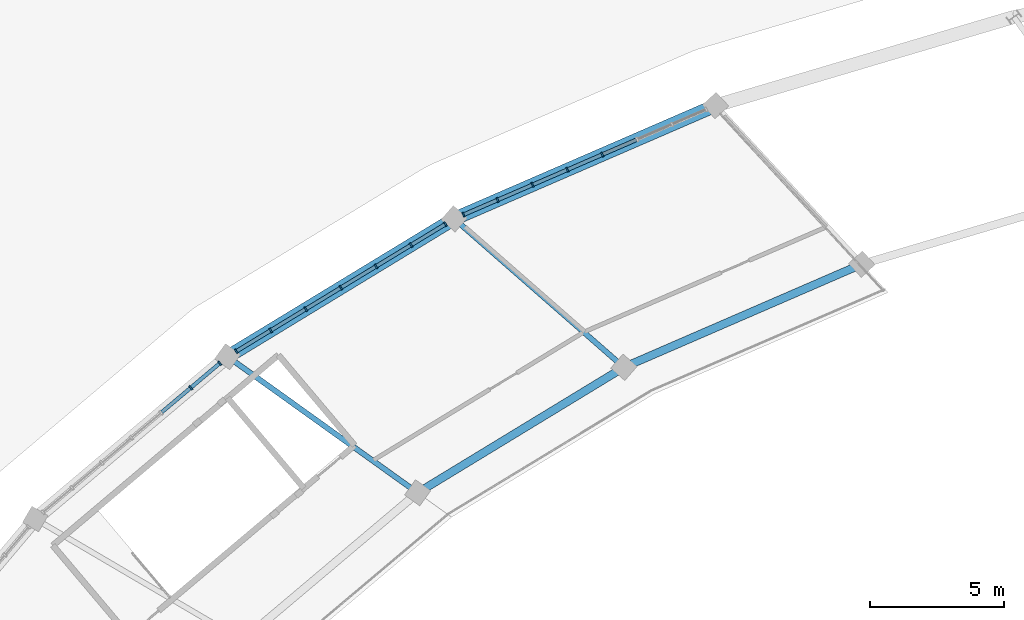
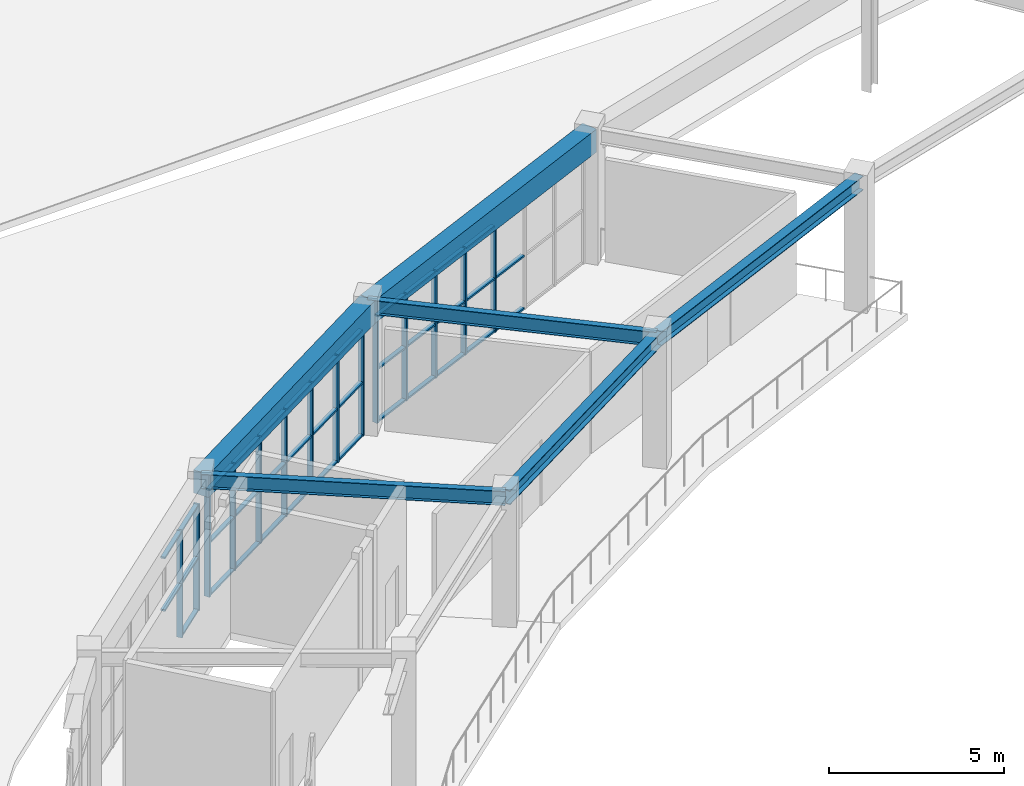
# One storey, part 25 of 45: 51 members, 6 beams, 3 elements without a shape of their own.
"""IFC4 building model written with IfcOpenShell, lengths in metres."""

from ifc_helpers import new_model, si_unit, direction, frame, origin, origin_2d, place, context, subcontext, project, spatial, rectangle, i_section, extrude, material, layer, layer_set, material_profile, profile_set, type_object, element, aggregate, save


model = new_model("IFC4")

# Units and contexts
model_context = context("Model", 3, precision=1e-05, world=origin(), true_north=direction((0.0, 1.0)))
body_context = subcontext(model_context, "Body", "Model", "MODEL_VIEW")
ifc_project = project(units=[si_unit("LENGTHUNIT", "METRE"), si_unit("AREAUNIT", "SQUARE_METRE"), si_unit("VOLUMEUNIT", "CUBIC_METRE"), si_unit("PLANEANGLEUNIT", "RADIAN"), si_unit("MASSUNIT", "GRAM", prefix="KILO")], contexts=[model_context])

# Site, building, storey
site_placement = place(None, origin())
site = spatial("IfcSite", under=ifc_project, at=site_placement, CompositionType="ELEMENT")
building_placement = place(site_placement, origin())
building = spatial("IfcBuilding", under=site, at=building_placement, Name="Mphavela Belvedere Stadium", CompositionType="ELEMENT")
storey_placement = place(building_placement, frame((0.0, 0.0, 24.0)))
storey = spatial("IfcBuildingStorey", under=building, at=storey_placement, Name="L05", CompositionType="ELEMENT", Elevation=24.0)

# Beams
ifc_material_1 = material(Name="Concrete C40/50", Category="concrete")
ifc_material_profile_1 = material_profile(ifc_material_1, rectangle(XDim=0.5, YDim=0.800048828125, at=origin_2d()), Name="RC 500x800")
ifc_profile_set_1 = profile_set([ifc_material_profile_1], Name="Concrete C40/50")
beam_type_1 = type_object("IfcBeamType", Name="BM-SPANDREL-800", PredefinedType="SPANDREL", material=ifc_profile_set_1)
beam_1_placement = place(storey_placement, frame((54.0625, 153.09130859375, 4.14990234375), z_axis=(-0.91749867224, -0.397738842004, 0.0), x_axis=(0.397738842004, -0.91749867224, 0.0)))
element("IfcBeam", 1, at=beam_1_placement, inside=storey, type_object=beam_type_1, Name="Circumferential girder L05 R4-17", PredefinedType="SPANDREL", context=body_context, shape_type="SweptSolid", body=[
    extrude(rectangle(XDim=0.5, YDim=0.800048828125, at=origin_2d()), origin(), (0.0, 0.0, 1.0), 10.63623046875),
])
beam_2_placement = place(storey_placement, frame((44.3037109375, 148.86083984375, 4.14990234375), z_axis=(-0.854326607994, -0.51973651678, 0.0), x_axis=(0.51973651678, -0.854326607994, 0.0)))
element("IfcBeam", 2, at=beam_2_placement, inside=storey, type_object=beam_type_1, Name="Circumferential girder L05 R4-18", PredefinedType="SPANDREL", context=body_context, shape_type="SweptSolid", body=[
    extrude(rectangle(XDim=0.5, YDim=0.800048828125, at=origin_2d()), origin(), (0.0, 0.0, 1.0), 9.901611328125),
])
ifc_material_2 = material(Name="Steel S355", Category="steel")
ifc_material_profile_2 = material_profile(ifc_material_2, i_section(OverallWidth=0.300048828125, OverallDepth=0.489990234375, WebThickness=0.011962890625, FlangeThickness=0.02294921875, at=origin_2d()), Name="HEA 500")
ifc_profile_set_2 = profile_set([ifc_material_profile_2], Name="Steel S355")
beam_type_2 = type_object("IfcBeamType", Name="BM-STEEL-HEA500", PredefinedType="BEAM", material=ifc_profile_set_2)
beam_3_placement = place(storey_placement, frame((59.523681640625, 147.16796875, 4.304931640625), z_axis=(-0.917501650019, -0.397731972832, 0.0), x_axis=(0.397731972832, -0.917501650019, 0.0)))
element("IfcBeam", 3, at=beam_3_placement, inside=storey, type_object=beam_type_2, Name="Circumferential girder L05 R3-17", PredefinedType="BEAM", context=body_context, shape_type="SweptSolid", body=[
    extrude(i_section(OverallWidth=0.300048828125, OverallDepth=0.489990234375, WebThickness=0.011962890625, FlangeThickness=0.02294921875, at=origin_2d()), origin(), (0.0, 0.0, 1.0), 9.6826171875),
])
beam_4_placement = place(storey_placement, frame((50.639892578125, 143.31689453125, 4.304931640625), z_axis=(-0.854315160357, -0.519755333579, 0.0), x_axis=(0.519755333579, -0.854315160357, 0.0)))
element("IfcBeam", 4, at=beam_4_placement, inside=storey, type_object=beam_type_2, Name="Circumferential girder L05 R3-18", PredefinedType="BEAM", context=body_context, shape_type="SweptSolid", body=[
    extrude(i_section(OverallWidth=0.300048828125, OverallDepth=0.489990234375, WebThickness=0.011962890625, FlangeThickness=0.02294921875, at=origin_2d()), origin(), (0.0, 0.0, 1.0), 9.014404296875),
])
ifc_material_3 = material(Name="Steel S355", Category="steel")
ifc_material_profile_3 = material_profile(ifc_material_3, i_section(OverallWidth=0.199951171875, OverallDepth=0.5, WebThickness=0.01025390625, FlangeThickness=0.01611328125, at=origin_2d()), Name="IPE 500")
ifc_profile_set_3 = profile_set([ifc_material_profile_3], Name="Steel S355")
beam_type_3 = type_object("IfcBeamType", Name="BM-STEEL-IPE500", PredefinedType="BEAM", material=ifc_profile_set_3)
beam_5_placement = place(storey_placement, frame((50.639892578125, 143.31689453125, 4.300048828125), z_axis=(-0.752589268993, 0.658490236978, 0.0), x_axis=(-0.658490236978, -0.752589268993, 0.0)))
element("IfcBeam", 5, at=beam_5_placement, inside=storey, type_object=beam_type_3, Name="Radial concourse girder L05 R3R4-18", PredefinedType="BEAM", context=body_context, shape_type="SweptSolid", body=[
    extrude(i_section(OverallWidth=0.199951171875, OverallDepth=0.5, WebThickness=0.01025390625, FlangeThickness=0.01611328125, at=origin_2d()), origin(), (0.0, 0.0, 1.0), 8.419189453125),
])
beam_6_placement = place(storey_placement, frame((42.938720703125, 138.631591796875, 4.300048828125), z_axis=(-0.812882024932, 0.582428376319, 0.0), x_axis=(-0.582428376319, -0.812882024932, 0.0)))
element("IfcBeam", 6, at=beam_6_placement, inside=storey, type_object=beam_type_3, Name="Radial concourse girder L05 R3R4-19", PredefinedType="BEAM", context=body_context, shape_type="SweptSolid", body=[
    extrude(i_section(OverallWidth=0.199951171875, OverallDepth=0.5, WebThickness=0.01025390625, FlangeThickness=0.01611328125, at=origin_2d()), origin(), (0.0, 0.0, 1.0), 8.727294921875),
])

# Curtain wall, members
ifc_material_4 = material(Name="Anodised bronze unitised curtain wall framing")
ifc_layer_1 = layer(ifc_material_4, 0.199951171875)
ifc_layer_set_1 = layer_set([ifc_layer_1], Name="Anodised bronze unitised curtain wall framing")
curtain_wall_type_1 = type_object("IfcCurtainWallType", Name="CW-UNIT-05", PredefinedType="USERDEFINED", material=ifc_layer_set_1)
curtain_wall_1_placement = place(storey_placement, origin())
curtain_wall_1 = element("IfcCurtainWall", 7, at=curtain_wall_1_placement, inside=storey, type_object=curtain_wall_type_1, Name="Belvedere colonnade curtain wall L05-17", ObjectType="UNITISED CURTAIN WALL", PredefinedType="USERDEFINED")
ifc_material_5 = material(Name="Anodised bronze extruded aluminium", Category="aluminium")
ifc_material_profile_4 = material_profile(ifc_material_5, rectangle(XDim=0.179931640625, YDim=0.06494140625, at=origin_2d()), Name="CW-MUL 180x65")
ifc_profile_set_4 = profile_set([ifc_material_profile_4], Name="Anodised bronze extruded aluminium")
member_type_1 = type_object("IfcMemberType", Name="CWM-180x65", PredefinedType="MULLION", material=ifc_profile_set_4)
member_1_placement = place(storey_placement, frame((49.83447265625, 151.258544921875, 0.0), z_axis=(0.0, 0.0, 1.0), x_axis=(0.39774295054, -0.917496891164, 0.0)))
member_1 = element("IfcMember", 8, at=member_1_placement, type_object=member_type_1, Name="CW-05 mullion 4", PredefinedType="MULLION", context=body_context, shape_type="SweptSolid", body=[
    extrude(rectangle(XDim=0.179931640625, YDim=0.06494140625, at=origin_2d()), origin(), (0.0, 0.0, 1.0), 3.719970703125),
])
member_2_placement = place(storey_placement, frame((48.53173828125, 150.693603515625, 0.0), z_axis=(0.0, 0.0, 1.0), x_axis=(0.39774295054, -0.917496891164, 0.0)))
member_2 = element("IfcMember", 9, at=member_2_placement, type_object=member_type_1, Name="CW-05 mullion 5", PredefinedType="MULLION", context=body_context, shape_type="SweptSolid", body=[
    extrude(rectangle(XDim=0.179931640625, YDim=0.06494140625, at=origin_2d()), origin(), (0.0, 0.0, 1.0), 3.719970703125),
])
member_3_placement = place(storey_placement, frame((47.228759765625, 150.12890625, 0.0), z_axis=(0.0, 0.0, 1.0), x_axis=(0.39774295054, -0.917496891164, 0.0)))
member_3 = element("IfcMember", 10, at=member_3_placement, type_object=member_type_1, Name="CW-05 mullion 6", PredefinedType="MULLION", context=body_context, shape_type="SweptSolid", body=[
    extrude(rectangle(XDim=0.179931640625, YDim=0.06494140625, at=origin_2d()), origin(), (0.0, 0.0, 1.0), 3.719970703125),
])
member_4_placement = place(storey_placement, frame((45.926025390625, 149.564208984375, 0.0), z_axis=(0.0, 0.0, 1.0), x_axis=(0.39774295054, -0.917496891164, 0.0)))
member_4 = element("IfcMember", 11, at=member_4_placement, type_object=member_type_1, Name="CW-05 mullion 7", PredefinedType="MULLION", context=body_context, shape_type="SweptSolid", body=[
    extrude(rectangle(XDim=0.179931640625, YDim=0.06494140625, at=origin_2d()), origin(), (0.0, 0.0, 1.0), 3.719970703125),
])
member_5_placement = place(storey_placement, frame((44.65283203125, 149.01220703125, 0.0), z_axis=(0.0, 0.0, 1.0), x_axis=(0.39774295054, -0.917496891164, 0.0)))
member_5 = element("IfcMember", 12, at=member_5_placement, type_object=member_type_1, Name="CW-05 mullion 8", PredefinedType="MULLION", context=body_context, shape_type="SweptSolid", body=[
    extrude(rectangle(XDim=0.179931640625, YDim=0.06494140625, at=origin_2d()), origin(), (0.0, 0.0, 1.0), 3.719970703125),
])

ifc_material_6 = material(Name="Anodised bronze unitised curtain wall framing")
ifc_layer_2 = layer(ifc_material_6, 0.205078125)
ifc_layer_set_2 = layer_set([ifc_layer_2], Name="Anodised bronze unitised curtain wall framing")
curtain_wall_type_2 = type_object("IfcCurtainWallType", Name="CW-UNIT-06", PredefinedType="USERDEFINED", material=ifc_layer_set_2)
curtain_wall_2_placement = place(storey_placement, origin())
curtain_wall_2 = element("IfcCurtainWall", 13, at=curtain_wall_2_placement, inside=storey, type_object=curtain_wall_type_2, Name="Belvedere colonnade curtain wall L05-18", ObjectType="UNITISED CURTAIN WALL", PredefinedType="USERDEFINED")
member_6_placement = place(storey_placement, frame((43.978759765625, 148.6630859375, 0.0), z_axis=(0.0, 0.0, 1.0), x_axis=(0.519735341101, -0.854327323226, 0.0)))
member_6 = element("IfcMember", 14, at=member_6_placement, type_object=member_type_1, Name="CW-06 mullion 1", PredefinedType="MULLION", context=body_context, shape_type="SweptSolid", body=[
    extrude(rectangle(XDim=0.179931640625, YDim=0.06494140625, at=origin_2d()), origin(), (0.0, 0.0, 1.0), 3.719970703125),
])
member_7_placement = place(storey_placement, frame((42.69580078125, 147.882568359375, 0.0), z_axis=(0.0, 0.0, 1.0), x_axis=(0.519735341101, -0.854327323226, 0.0)))
member_7 = element("IfcMember", 15, at=member_7_placement, type_object=member_type_1, Name="CW-06 mullion 2", PredefinedType="MULLION", context=body_context, shape_type="SweptSolid", body=[
    extrude(rectangle(XDim=0.179931640625, YDim=0.06494140625, at=origin_2d()), origin(), (0.0, 0.0, 1.0), 3.719970703125),
])
member_8_placement = place(storey_placement, frame((41.385009765625, 147.085205078125, 0.0), z_axis=(0.0, 0.0, 1.0), x_axis=(0.519735341101, -0.854327323226, 0.0)))
member_8 = element("IfcMember", 16, at=member_8_placement, type_object=member_type_1, Name="CW-06 mullion 3", PredefinedType="MULLION", context=body_context, shape_type="SweptSolid", body=[
    extrude(rectangle(XDim=0.179931640625, YDim=0.06494140625, at=origin_2d()), origin(), (0.0, 0.0, 1.0), 3.719970703125),
])
member_9_placement = place(storey_placement, frame((40.07421875, 146.28759765625, 0.0), z_axis=(0.0, 0.0, 1.0), x_axis=(0.519735341101, -0.854327323226, 0.0)))
member_9 = element("IfcMember", 17, at=member_9_placement, type_object=member_type_1, Name="CW-06 mullion 4", PredefinedType="MULLION", context=body_context, shape_type="SweptSolid", body=[
    extrude(rectangle(XDim=0.179931640625, YDim=0.06494140625, at=origin_2d()), origin(), (0.0, 0.0, 1.0), 3.719970703125),
])
member_10_placement = place(storey_placement, frame((38.76318359375, 145.490234375, 0.0), z_axis=(0.0, 0.0, 1.0), x_axis=(0.519735341101, -0.854327323226, 0.0)))
member_10 = element("IfcMember", 18, at=member_10_placement, type_object=member_type_1, Name="CW-06 mullion 5", PredefinedType="MULLION", context=body_context, shape_type="SweptSolid", body=[
    extrude(rectangle(XDim=0.179931640625, YDim=0.06494140625, at=origin_2d()), origin(), (0.0, 0.0, 1.0), 3.719970703125),
])
member_11_placement = place(storey_placement, frame((37.452392578125, 144.69287109375, 0.0), z_axis=(0.0, 0.0, 1.0), x_axis=(0.519735341101, -0.854327323226, 0.0)))
member_11 = element("IfcMember", 19, at=member_11_placement, type_object=member_type_1, Name="CW-06 mullion 6", PredefinedType="MULLION", context=body_context, shape_type="SweptSolid", body=[
    extrude(rectangle(XDim=0.179931640625, YDim=0.06494140625, at=origin_2d()), origin(), (0.0, 0.0, 1.0), 3.719970703125),
])
member_12_placement = place(storey_placement, frame((36.16943359375, 143.912353515625, 0.0), z_axis=(0.0, 0.0, 1.0), x_axis=(0.519735341101, -0.854327323226, 0.0)))
member_12 = element("IfcMember", 20, at=member_12_placement, type_object=member_type_1, Name="CW-06 mullion 7", PredefinedType="MULLION", context=body_context, shape_type="SweptSolid", body=[
    extrude(rectangle(XDim=0.179931640625, YDim=0.06494140625, at=origin_2d()), origin(), (0.0, 0.0, 1.0), 3.719970703125),
])

ifc_material_7 = material(Name="Anodised bronze unitised curtain wall framing")
ifc_layer_3 = layer(ifc_material_7, 0.179931640625)
ifc_layer_set_3 = layer_set([ifc_layer_3], Name="Anodised bronze unitised curtain wall framing")
curtain_wall_type_3 = type_object("IfcCurtainWallType", Name="CW-UNIT-01", PredefinedType="USERDEFINED", material=ifc_layer_set_3)
curtain_wall_3_placement = place(storey_placement, origin())
curtain_wall_3 = element("IfcCurtainWall", 21, at=curtain_wall_3_placement, inside=storey, type_object=curtain_wall_type_3, Name="Belvedere colonnade curtain wall L05-19", ObjectType="UNITISED CURTAIN WALL", PredefinedType="USERDEFINED")
member_13_placement = place(storey_placement, frame((35.553466796875, 143.46923828125, 0.0), z_axis=(0.0, 0.0, 1.0), x_axis=(0.644916038089, -0.764253429051, 0.0)))
member_13 = element("IfcMember", 22, at=member_13_placement, type_object=member_type_1, Name="CW-01 mullion 1", PredefinedType="MULLION", context=body_context, shape_type="SweptSolid", body=[
    extrude(rectangle(XDim=0.179931640625, YDim=0.06494140625, at=origin_2d()), origin(), (0.0, 0.0, 1.0), 3.719970703125),
])
member_14_placement = place(storey_placement, frame((34.469970703125, 142.5546875, 0.0), z_axis=(0.0, 0.0, 1.0), x_axis=(0.644916038089, -0.764253429051, 0.0)))
member_14 = element("IfcMember", 23, at=member_14_placement, type_object=member_type_1, Name="CW-01 mullion 2", PredefinedType="MULLION", context=body_context, shape_type="SweptSolid", body=[
    extrude(rectangle(XDim=0.179931640625, YDim=0.06494140625, at=origin_2d()), origin(), (0.0, 0.0, 1.0), 3.719970703125),
])

# Member
ifc_material_8 = material(Name="Anodised bronze extruded aluminium", Category="aluminium")
ifc_material_profile_5 = material_profile(ifc_material_8, rectangle(XDim=0.139892578125, YDim=0.06005859375, at=origin_2d()), Name="CW-TRN 140x60")
ifc_profile_set_5 = profile_set([ifc_material_profile_5], Name="Anodised bronze extruded aluminium")
member_type_2 = type_object("IfcMemberType", Name="CWT-140x60", PredefinedType="USERDEFINED", material=ifc_profile_set_5)
member_15_placement = place(storey_placement, frame((51.107666015625, 151.810302734375, 0.030029296875), z_axis=(-0.917553434392, -0.39761249356, 0.0), x_axis=(0.39761249356, -0.917553434392, 0.0)))
member_15 = element("IfcMember", 24, at=member_15_placement, type_object=member_type_2, Name="CW-05 transom 3.1", ObjectType="TRANSOM", PredefinedType="USERDEFINED", context=body_context, shape_type="SweptSolid", body=[
    extrude(rectangle(XDim=0.139892578125, YDim=0.06005859375, at=origin_2d()), origin(), (0.0, 0.0, 1.0), 1.355224609375),
])

member_16_placement = place(storey_placement, frame((51.107666015625, 151.810302734375, 1.860107421875), z_axis=(-0.917553434392, -0.39761249356, 0.0), x_axis=(0.39761249356, -0.917553434392, 0.0)))
member_16 = element("IfcMember", 25, at=member_16_placement, type_object=member_type_2, Name="CW-05 transom 3.2", ObjectType="TRANSOM", PredefinedType="USERDEFINED", context=body_context, shape_type="SweptSolid", body=[
    extrude(rectangle(XDim=0.139892578125, YDim=0.06005859375, at=origin_2d()), origin(), (0.0, 0.0, 1.0), 1.355224609375),
])

member_17_placement = place(storey_placement, frame((49.8046875, 151.24560546875, 0.030029296875), z_axis=(-0.917459189536, -0.397829907796, 0.0), x_axis=(0.397829907796, -0.917459189536, 0.0)))
member_17 = element("IfcMember", 26, at=member_17_placement, type_object=member_type_2, Name="CW-05 transom 4.1", ObjectType="TRANSOM", PredefinedType="USERDEFINED", context=body_context, shape_type="SweptSolid", body=[
    extrude(rectangle(XDim=0.139892578125, YDim=0.06005859375, at=origin_2d()), origin(), (0.0, 0.0, 1.0), 1.35498046875),
])

member_18_placement = place(storey_placement, frame((49.8046875, 151.24560546875, 1.860107421875), z_axis=(-0.917459189536, -0.397829907796, 0.0), x_axis=(0.397829907796, -0.917459189536, 0.0)))
member_18 = element("IfcMember", 27, at=member_18_placement, type_object=member_type_2, Name="CW-05 transom 4.2", ObjectType="TRANSOM", PredefinedType="USERDEFINED", context=body_context, shape_type="SweptSolid", body=[
    extrude(rectangle(XDim=0.139892578125, YDim=0.06005859375, at=origin_2d()), origin(), (0.0, 0.0, 1.0), 1.35498046875),
])

member_19_placement = place(storey_placement, frame((49.8046875, 151.24560546875, 3.68994140625), z_axis=(-0.917459189536, -0.397829907796, 0.0), x_axis=(0.397829907796, -0.917459189536, 0.0)))
member_19 = element("IfcMember", 28, at=member_19_placement, type_object=member_type_2, Name="CW-05 transom 4.3", ObjectType="TRANSOM", PredefinedType="USERDEFINED", context=body_context, shape_type="SweptSolid", body=[
    extrude(rectangle(XDim=0.139892578125, YDim=0.06005859375, at=origin_2d()), origin(), (0.0, 0.0, 1.0), 1.35498046875),
])

member_20_placement = place(storey_placement, frame((48.501953125, 150.6806640625, 0.030029296875), z_axis=(-0.917553434392, -0.39761249356, 0.0), x_axis=(0.39761249356, -0.917553434392, 0.0)))
member_20 = element("IfcMember", 29, at=member_20_placement, type_object=member_type_2, Name="CW-05 transom 5.1", ObjectType="TRANSOM", PredefinedType="USERDEFINED", context=body_context, shape_type="SweptSolid", body=[
    extrude(rectangle(XDim=0.139892578125, YDim=0.06005859375, at=origin_2d()), origin(), (0.0, 0.0, 1.0), 1.355224609375),
])

member_21_placement = place(storey_placement, frame((48.501953125, 150.6806640625, 1.860107421875), z_axis=(-0.917553434392, -0.39761249356, 0.0), x_axis=(0.39761249356, -0.917553434392, 0.0)))
member_21 = element("IfcMember", 30, at=member_21_placement, type_object=member_type_2, Name="CW-05 transom 5.2", ObjectType="TRANSOM", PredefinedType="USERDEFINED", context=body_context, shape_type="SweptSolid", body=[
    extrude(rectangle(XDim=0.139892578125, YDim=0.06005859375, at=origin_2d()), origin(), (0.0, 0.0, 1.0), 1.355224609375),
])

member_22_placement = place(storey_placement, frame((48.501953125, 150.6806640625, 3.68994140625), z_axis=(-0.917553434392, -0.39761249356, 0.0), x_axis=(0.39761249356, -0.917553434392, 0.0)))
member_22 = element("IfcMember", 31, at=member_22_placement, type_object=member_type_2, Name="CW-05 transom 5.3", ObjectType="TRANSOM", PredefinedType="USERDEFINED", context=body_context, shape_type="SweptSolid", body=[
    extrude(rectangle(XDim=0.139892578125, YDim=0.06005859375, at=origin_2d()), origin(), (0.0, 0.0, 1.0), 1.355224609375),
])

member_23_placement = place(storey_placement, frame((47.198974609375, 150.115966796875, 0.030029296875), z_axis=(-0.917524944853, -0.397678231204, 0.0), x_axis=(0.397678231204, -0.917524944853, 0.0)))
member_23 = element("IfcMember", 32, at=member_23_placement, type_object=member_type_2, Name="CW-05 transom 6.1", ObjectType="TRANSOM", PredefinedType="USERDEFINED", context=body_context, shape_type="SweptSolid", body=[
    extrude(rectangle(XDim=0.139892578125, YDim=0.06005859375, at=origin_2d()), origin(), (0.0, 0.0, 1.0), 1.35498046875),
])

member_24_placement = place(storey_placement, frame((47.198974609375, 150.115966796875, 1.860107421875), z_axis=(-0.917524944853, -0.397678231204, 0.0), x_axis=(0.397678231204, -0.917524944853, 0.0)))
member_24 = element("IfcMember", 33, at=member_24_placement, type_object=member_type_2, Name="CW-05 transom 6.2", ObjectType="TRANSOM", PredefinedType="USERDEFINED", context=body_context, shape_type="SweptSolid", body=[
    extrude(rectangle(XDim=0.139892578125, YDim=0.06005859375, at=origin_2d()), origin(), (0.0, 0.0, 1.0), 1.35498046875),
])

member_25_placement = place(storey_placement, frame((47.198974609375, 150.115966796875, 3.68994140625), z_axis=(-0.917524944853, -0.397678231204, 0.0), x_axis=(0.397678231204, -0.917524944853, 0.0)))
member_25 = element("IfcMember", 34, at=member_25_placement, type_object=member_type_2, Name="CW-05 transom 6.3", ObjectType="TRANSOM", PredefinedType="USERDEFINED", context=body_context, shape_type="SweptSolid", body=[
    extrude(rectangle(XDim=0.139892578125, YDim=0.06005859375, at=origin_2d()), origin(), (0.0, 0.0, 1.0), 1.35498046875),
])

member_26_placement = place(storey_placement, frame((45.896240234375, 149.55126953125, 0.030029296875), z_axis=(-0.917495012317, -0.397747284559, 0.0), x_axis=(0.397747284559, -0.917495012317, 0.0)))
member_26 = element("IfcMember", 35, at=member_26_placement, type_object=member_type_2, Name="CW-05 transom 7.1", ObjectType="TRANSOM", PredefinedType="USERDEFINED", context=body_context, shape_type="SweptSolid", body=[
    extrude(rectangle(XDim=0.139892578125, YDim=0.06005859375, at=origin_2d()), origin(), (0.0, 0.0, 1.0), 1.32275390625),
])

member_27_placement = place(storey_placement, frame((45.896240234375, 149.55126953125, 1.860107421875), z_axis=(-0.917495012317, -0.397747284559, 0.0), x_axis=(0.397747284559, -0.917495012317, 0.0)))
member_27 = element("IfcMember", 36, at=member_27_placement, type_object=member_type_2, Name="CW-05 transom 7.2", ObjectType="TRANSOM", PredefinedType="USERDEFINED", context=body_context, shape_type="SweptSolid", body=[
    extrude(rectangle(XDim=0.139892578125, YDim=0.06005859375, at=origin_2d()), origin(), (0.0, 0.0, 1.0), 1.32275390625),
])

member_28_placement = place(storey_placement, frame((45.896240234375, 149.55126953125, 3.68994140625), z_axis=(-0.917495012317, -0.397747284559, 0.0), x_axis=(0.397747284559, -0.917495012317, 0.0)))
member_28 = element("IfcMember", 37, at=member_28_placement, type_object=member_type_2, Name="CW-05 transom 7.3", ObjectType="TRANSOM", PredefinedType="USERDEFINED", context=body_context, shape_type="SweptSolid", body=[
    extrude(rectangle(XDim=0.139892578125, YDim=0.06005859375, at=origin_2d()), origin(), (0.0, 0.0, 1.0), 1.32275390625),
])

aggregate(curtain_wall_1, [member_1, member_2, member_3, member_4, member_5, member_15, member_16, member_17, member_18, member_19, member_20, member_21, member_22, member_23, member_24, member_25, member_26, member_27, member_28])

member_29_placement = place(storey_placement, frame((43.950927734375, 148.646240234375, 0.030029296875), z_axis=(-0.854313371297, -0.519758274224, 0.0), x_axis=(0.519758274224, -0.854313371297, 0.0)))
member_29 = element("IfcMember", 38, at=member_29_placement, type_object=member_type_2, Name="CW-06 transom 1.1", ObjectType="TRANSOM", PredefinedType="USERDEFINED", context=body_context, shape_type="SweptSolid", body=[
    extrude(rectangle(XDim=0.139892578125, YDim=0.06005859375, at=origin_2d()), origin(), (0.0, 0.0, 1.0), 1.436767578125),
])

member_30_placement = place(storey_placement, frame((43.950927734375, 148.646240234375, 1.860107421875), z_axis=(-0.854313371297, -0.519758274224, 0.0), x_axis=(0.519758274224, -0.854313371297, 0.0)))
member_30 = element("IfcMember", 39, at=member_30_placement, type_object=member_type_2, Name="CW-06 transom 1.2", ObjectType="TRANSOM", PredefinedType="USERDEFINED", context=body_context, shape_type="SweptSolid", body=[
    extrude(rectangle(XDim=0.139892578125, YDim=0.06005859375, at=origin_2d()), origin(), (0.0, 0.0, 1.0), 1.436767578125),
])

member_31_placement = place(storey_placement, frame((43.950927734375, 148.646240234375, 3.68994140625), z_axis=(-0.854313371297, -0.519758274224, 0.0), x_axis=(0.519758274224, -0.854313371297, 0.0)))
member_31 = element("IfcMember", 40, at=member_31_placement, type_object=member_type_2, Name="CW-06 transom 1.3", ObjectType="TRANSOM", PredefinedType="USERDEFINED", context=body_context, shape_type="SweptSolid", body=[
    extrude(rectangle(XDim=0.139892578125, YDim=0.06005859375, at=origin_2d()), origin(), (0.0, 0.0, 1.0), 1.436767578125),
])

member_32_placement = place(storey_placement, frame((42.66796875, 147.86572265625, 0.030029296875), z_axis=(-0.854339693741, -0.519715006228, 0.0), x_axis=(0.519715006228, -0.854339693741, 0.0)))
member_32 = element("IfcMember", 41, at=member_32_placement, type_object=member_type_2, Name="CW-06 transom 2.1", ObjectType="TRANSOM", PredefinedType="USERDEFINED", context=body_context, shape_type="SweptSolid", body=[
    extrude(rectangle(XDim=0.139892578125, YDim=0.06005859375, at=origin_2d()), origin(), (0.0, 0.0, 1.0), 1.469482421875),
])

member_33_placement = place(storey_placement, frame((42.66796875, 147.86572265625, 1.860107421875), z_axis=(-0.854339693741, -0.519715006228, 0.0), x_axis=(0.519715006228, -0.854339693741, 0.0)))
member_33 = element("IfcMember", 42, at=member_33_placement, type_object=member_type_2, Name="CW-06 transom 2.2", ObjectType="TRANSOM", PredefinedType="USERDEFINED", context=body_context, shape_type="SweptSolid", body=[
    extrude(rectangle(XDim=0.139892578125, YDim=0.06005859375, at=origin_2d()), origin(), (0.0, 0.0, 1.0), 1.469482421875),
])

member_34_placement = place(storey_placement, frame((42.66796875, 147.86572265625, 3.68994140625), z_axis=(-0.854339693741, -0.519715006228, 0.0), x_axis=(0.519715006228, -0.854339693741, 0.0)))
member_34 = element("IfcMember", 43, at=member_34_placement, type_object=member_type_2, Name="CW-06 transom 2.3", ObjectType="TRANSOM", PredefinedType="USERDEFINED", context=body_context, shape_type="SweptSolid", body=[
    extrude(rectangle(XDim=0.139892578125, YDim=0.06005859375, at=origin_2d()), origin(), (0.0, 0.0, 1.0), 1.469482421875),
])

member_35_placement = place(storey_placement, frame((41.357177734375, 147.068359375, 0.030029296875), z_axis=(-0.854339693741, -0.519715006228, 0.0), x_axis=(0.519715006228, -0.854339693741, 0.0)))
member_35 = element("IfcMember", 44, at=member_35_placement, type_object=member_type_2, Name="CW-06 transom 3.1", ObjectType="TRANSOM", PredefinedType="USERDEFINED", context=body_context, shape_type="SweptSolid", body=[
    extrude(rectangle(XDim=0.139892578125, YDim=0.06005859375, at=origin_2d()), origin(), (0.0, 0.0, 1.0), 1.469482421875),
])

member_36_placement = place(storey_placement, frame((41.357177734375, 147.068359375, 1.860107421875), z_axis=(-0.854339693741, -0.519715006228, 0.0), x_axis=(0.519715006228, -0.854339693741, 0.0)))
member_36 = element("IfcMember", 45, at=member_36_placement, type_object=member_type_2, Name="CW-06 transom 3.2", ObjectType="TRANSOM", PredefinedType="USERDEFINED", context=body_context, shape_type="SweptSolid", body=[
    extrude(rectangle(XDim=0.139892578125, YDim=0.06005859375, at=origin_2d()), origin(), (0.0, 0.0, 1.0), 1.469482421875),
])

member_37_placement = place(storey_placement, frame((41.357177734375, 147.068359375, 3.68994140625), z_axis=(-0.854339693741, -0.519715006228, 0.0), x_axis=(0.519715006228, -0.854339693741, 0.0)))
member_37 = element("IfcMember", 46, at=member_37_placement, type_object=member_type_2, Name="CW-06 transom 3.3", ObjectType="TRANSOM", PredefinedType="USERDEFINED", context=body_context, shape_type="SweptSolid", body=[
    extrude(rectangle(XDim=0.139892578125, YDim=0.06005859375, at=origin_2d()), origin(), (0.0, 0.0, 1.0), 1.469482421875),
])

member_38_placement = place(storey_placement, frame((40.04638671875, 146.270751953125, 0.030029296875), z_axis=(-0.854339693741, -0.519715006228, 0.0), x_axis=(0.519715006228, -0.854339693741, 0.0)))
member_38 = element("IfcMember", 47, at=member_38_placement, type_object=member_type_2, Name="CW-06 transom 4.1", ObjectType="TRANSOM", PredefinedType="USERDEFINED", context=body_context, shape_type="SweptSolid", body=[
    extrude(rectangle(XDim=0.139892578125, YDim=0.06005859375, at=origin_2d()), origin(), (0.0, 0.0, 1.0), 1.469482421875),
])

member_39_placement = place(storey_placement, frame((40.04638671875, 146.270751953125, 1.860107421875), z_axis=(-0.854339693741, -0.519715006228, 0.0), x_axis=(0.519715006228, -0.854339693741, 0.0)))
member_39 = element("IfcMember", 48, at=member_39_placement, type_object=member_type_2, Name="CW-06 transom 4.2", ObjectType="TRANSOM", PredefinedType="USERDEFINED", context=body_context, shape_type="SweptSolid", body=[
    extrude(rectangle(XDim=0.139892578125, YDim=0.06005859375, at=origin_2d()), origin(), (0.0, 0.0, 1.0), 1.469482421875),
])

member_40_placement = place(storey_placement, frame((40.04638671875, 146.270751953125, 3.68994140625), z_axis=(-0.854339693741, -0.519715006228, 0.0), x_axis=(0.519715006228, -0.854339693741, 0.0)))
member_40 = element("IfcMember", 49, at=member_40_placement, type_object=member_type_2, Name="CW-06 transom 4.3", ObjectType="TRANSOM", PredefinedType="USERDEFINED", context=body_context, shape_type="SweptSolid", body=[
    extrude(rectangle(XDim=0.139892578125, YDim=0.06005859375, at=origin_2d()), origin(), (0.0, 0.0, 1.0), 1.469482421875),
])

member_41_placement = place(storey_placement, frame((38.735595703125, 145.473388671875, 0.030029296875), z_axis=(-0.854339693741, -0.519715006228, 0.0), x_axis=(0.519715006228, -0.854339693741, 0.0)))
member_41 = element("IfcMember", 50, at=member_41_placement, type_object=member_type_2, Name="CW-06 transom 5.1", ObjectType="TRANSOM", PredefinedType="USERDEFINED", context=body_context, shape_type="SweptSolid", body=[
    extrude(rectangle(XDim=0.139892578125, YDim=0.06005859375, at=origin_2d()), origin(), (0.0, 0.0, 1.0), 1.469482421875),
])

member_42_placement = place(storey_placement, frame((38.735595703125, 145.473388671875, 1.860107421875), z_axis=(-0.854339693741, -0.519715006228, 0.0), x_axis=(0.519715006228, -0.854339693741, 0.0)))
member_42 = element("IfcMember", 51, at=member_42_placement, type_object=member_type_2, Name="CW-06 transom 5.2", ObjectType="TRANSOM", PredefinedType="USERDEFINED", context=body_context, shape_type="SweptSolid", body=[
    extrude(rectangle(XDim=0.139892578125, YDim=0.06005859375, at=origin_2d()), origin(), (0.0, 0.0, 1.0), 1.469482421875),
])

member_43_placement = place(storey_placement, frame((38.735595703125, 145.473388671875, 3.68994140625), z_axis=(-0.854339693741, -0.519715006228, 0.0), x_axis=(0.519715006228, -0.854339693741, 0.0)))
member_43 = element("IfcMember", 52, at=member_43_placement, type_object=member_type_2, Name="CW-06 transom 5.3", ObjectType="TRANSOM", PredefinedType="USERDEFINED", context=body_context, shape_type="SweptSolid", body=[
    extrude(rectangle(XDim=0.139892578125, YDim=0.06005859375, at=origin_2d()), origin(), (0.0, 0.0, 1.0), 1.469482421875),
])

member_44_placement = place(storey_placement, frame((37.4248046875, 144.676025390625, 0.030029296875), z_axis=(-0.854313371297, -0.519758274224, 0.0), x_axis=(0.519758274224, -0.854313371297, 0.0)))
member_44 = element("IfcMember", 53, at=member_44_placement, type_object=member_type_2, Name="CW-06 transom 6.1", ObjectType="TRANSOM", PredefinedType="USERDEFINED", context=body_context, shape_type="SweptSolid", body=[
    extrude(rectangle(XDim=0.139892578125, YDim=0.06005859375, at=origin_2d()), origin(), (0.0, 0.0, 1.0), 1.436767578125),
])

member_45_placement = place(storey_placement, frame((37.4248046875, 144.676025390625, 1.860107421875), z_axis=(-0.854313371297, -0.519758274224, 0.0), x_axis=(0.519758274224, -0.854313371297, 0.0)))
member_45 = element("IfcMember", 54, at=member_45_placement, type_object=member_type_2, Name="CW-06 transom 6.2", ObjectType="TRANSOM", PredefinedType="USERDEFINED", context=body_context, shape_type="SweptSolid", body=[
    extrude(rectangle(XDim=0.139892578125, YDim=0.06005859375, at=origin_2d()), origin(), (0.0, 0.0, 1.0), 1.436767578125),
])

member_46_placement = place(storey_placement, frame((37.4248046875, 144.676025390625, 3.68994140625), z_axis=(-0.854313371297, -0.519758274224, 0.0), x_axis=(0.519758274224, -0.854313371297, 0.0)))
member_46 = element("IfcMember", 55, at=member_46_placement, type_object=member_type_2, Name="CW-06 transom 6.3", ObjectType="TRANSOM", PredefinedType="USERDEFINED", context=body_context, shape_type="SweptSolid", body=[
    extrude(rectangle(XDim=0.139892578125, YDim=0.06005859375, at=origin_2d()), origin(), (0.0, 0.0, 1.0), 1.436767578125),
])

aggregate(curtain_wall_2, [member_6, member_7, member_8, member_9, member_10, member_11, member_12, member_29, member_30, member_31, member_32, member_33, member_34, member_35, member_36, member_37, member_38, member_39, member_40, member_41, member_42, member_43, member_44, member_45, member_46])

member_47_placement = place(storey_placement, frame((35.52880859375, 143.4482421875, 0.030029296875), z_axis=(-0.764227553542, -0.644946700439, 0.0), x_axis=(0.644946700439, -0.764227553542, 0.0)))
member_47 = element("IfcMember", 56, at=member_47_placement, type_object=member_type_2, Name="CW-01 transom 1.1", ObjectType="TRANSOM", PredefinedType="USERDEFINED", context=body_context, shape_type="SweptSolid", body=[
    extrude(rectangle(XDim=0.139892578125, YDim=0.06005859375, at=origin_2d()), origin(), (0.0, 0.0, 1.0), 1.35302734375),
])

member_48_placement = place(storey_placement, frame((35.52880859375, 143.4482421875, 1.860107421875), z_axis=(-0.764227553542, -0.644946700439, 0.0), x_axis=(0.644946700439, -0.764227553542, 0.0)))
member_48 = element("IfcMember", 57, at=member_48_placement, type_object=member_type_2, Name="CW-01 transom 1.2", ObjectType="TRANSOM", PredefinedType="USERDEFINED", context=body_context, shape_type="SweptSolid", body=[
    extrude(rectangle(XDim=0.139892578125, YDim=0.06005859375, at=origin_2d()), origin(), (0.0, 0.0, 1.0), 1.35302734375),
])

member_49_placement = place(storey_placement, frame((35.52880859375, 143.4482421875, 3.68994140625), z_axis=(-0.764227553542, -0.644946700439, 0.0), x_axis=(0.644946700439, -0.764227553542, 0.0)))
member_49 = element("IfcMember", 58, at=member_49_placement, type_object=member_type_2, Name="CW-01 transom 1.3", ObjectType="TRANSOM", PredefinedType="USERDEFINED", context=body_context, shape_type="SweptSolid", body=[
    extrude(rectangle(XDim=0.139892578125, YDim=0.06005859375, at=origin_2d()), origin(), (0.0, 0.0, 1.0), 1.35302734375),
])

member_50_placement = place(storey_placement, frame((34.445068359375, 142.53369140625, 1.860107421875), z_axis=(-0.764321340715, -0.644835551228, 0.0), x_axis=(0.644835551228, -0.764321340715, 0.0)))
member_50 = element("IfcMember", 59, at=member_50_placement, type_object=member_type_2, Name="CW-01 transom 2.2", ObjectType="TRANSOM", PredefinedType="USERDEFINED", context=body_context, shape_type="SweptSolid", body=[
    extrude(rectangle(XDim=0.139892578125, YDim=0.06005859375, at=origin_2d()), origin(), (0.0, 0.0, 1.0), 1.38525390625),
])

member_51_placement = place(storey_placement, frame((34.445068359375, 142.53369140625, 3.68994140625), z_axis=(-0.764321340715, -0.644835551228, 0.0), x_axis=(0.644835551228, -0.764321340715, 0.0)))
member_51 = element("IfcMember", 60, at=member_51_placement, type_object=member_type_2, Name="CW-01 transom 2.3", ObjectType="TRANSOM", PredefinedType="USERDEFINED", context=body_context, shape_type="SweptSolid", body=[
    extrude(rectangle(XDim=0.139892578125, YDim=0.06005859375, at=origin_2d()), origin(), (0.0, 0.0, 1.0), 1.38525390625),
])

aggregate(curtain_wall_3, [member_13, member_14, member_47, member_48, member_49, member_50, member_51])

save(model, "model.ifc")
